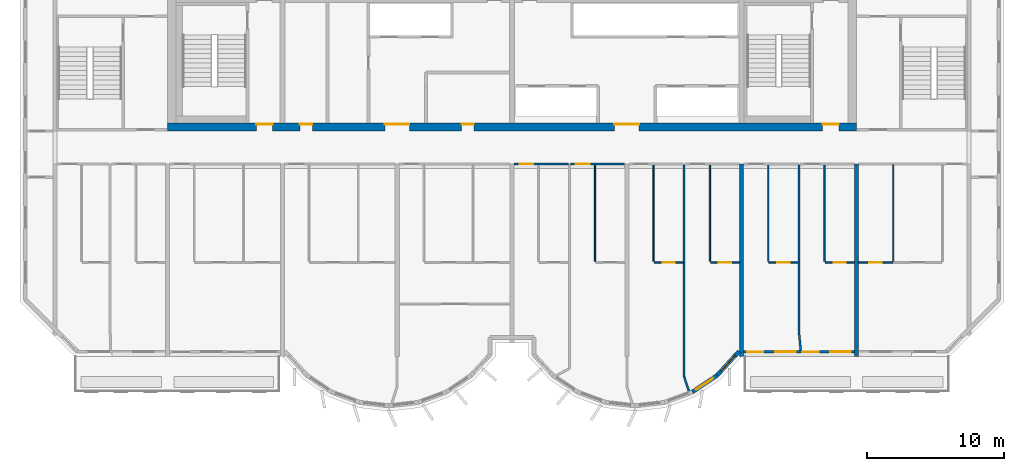
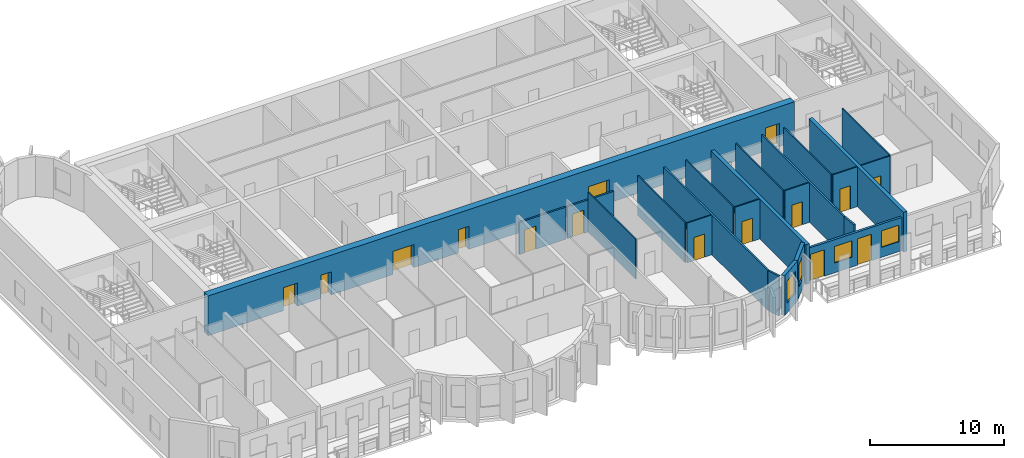
# One storey, part 5 of 11: 23 walls, 15 doors, 4 windows, 19 openings.
"""IFC4 building model written with IfcOpenShell, lengths in metres."""

import ifcopenshell
import ifcopenshell.guid

model = None  # the IFC model being written
_history = None  # IfcOwnerHistory: only IFC2X3 demands one
_inside = {}  # id of a spatial element -> (the spatial element, [elements in it])
_under = {}  # id of a project, library or spatial element -> (it, [spatial elements below it])
_declared = {}  # id of a project -> (the project, [libraries it declares])
_typed = {}  # id of a type object -> (the type object, [elements of that type])
_made_of = {}  # id of a material, layer set ... -> (it, [elements and type objects made of it])


def new_model(schema):
    """Start an empty IFC model of exactly this schema.

    Asked for "IFC4X3", IfcOpenShell would pick the latest addendum, in which some entities
    have other attributes; the version numbers below select the first issue.
    IFC2X3 requires an IfcOwnerHistory on every rooted entity: one is made here for all.
    """
    global model, _history
    if schema == "IFC4X3":
        model = ifcopenshell.file(schema_version=(4, 3, 0, 0))
    else:
        model = ifcopenshell.file(schema=schema)
    _inside.clear()
    _under.clear()
    _declared.clear()
    _typed.clear()
    _made_of.clear()
    _history = None
    if model.schema == "IFC2X3":
        org = make("IfcOrganization", Name="unknown")
        user = make(
            "IfcPersonAndOrganization",
            ThePerson=make("IfcPerson", FamilyName="unknown"),
            TheOrganization=org,
        )
        app = make(
            "IfcApplication",
            ApplicationDeveloper=org,
            Version="unknown",
            ApplicationFullName="unknown",
            ApplicationIdentifier="unknown",
        )
        _history = make(
            "IfcOwnerHistory",
            OwningUser=user,
            OwningApplication=app,
            ChangeAction="ADDED",
            CreationDate=0,
        )
    return model


def make(cls, **values):
    """One entity of the class cls with the attributes given. An attribute that is None is left unset."""
    return model.create_entity(
        cls, **{name: value for name, value in values.items() if value is not None}
    )


def rooted(cls, **values):
    """An entity with a GlobalId (a new one), such as an element, a storey or a relation."""
    return make(cls, GlobalId=ifcopenshell.guid.new(), OwnerHistory=_history, **values)


def si_unit(unit_type, name, prefix=None):
    """IfcSIUnit, for example si_unit("LENGTHUNIT", "METRE", prefix="MILLI")."""
    return make("IfcSIUnit", UnitType=unit_type, Prefix=prefix, Name=name)


def assignment(units):
    """IfcUnitAssignment: the units of a project."""
    return None if units is None else make("IfcUnitAssignment", Units=units)


def point(xyz):
    """IfcCartesianPoint."""
    return None if xyz is None else make("IfcCartesianPoint", Coordinates=xyz)


def direction(xyz):
    """IfcDirection."""
    return None if xyz is None else make("IfcDirection", DirectionRatios=xyz)


def frame(location, z_axis=None, x_axis=None):
    """IfcAxis2Placement3D, a coordinate frame: its origin and axes. An axis left out is left unset."""
    return make(
        "IfcAxis2Placement3D",
        Location=point(location),
        Axis=direction(z_axis),
        RefDirection=direction(x_axis),
    )


def frame_2d(location, x_axis=None):
    """IfcAxis2Placement2D, a coordinate frame in the plane: its origin and x axis."""
    return make(
        "IfcAxis2Placement2D", Location=point(location), RefDirection=direction(x_axis)
    )


def origin():
    """The frame at (0, 0, 0) with its axes left unset."""
    return frame((0.0, 0.0, 0.0))


def place(relative_to, where):
    """IfcLocalPlacement: puts the frame where relative to a parent placement (None: the world)."""
    return make(
        "IfcLocalPlacement", PlacementRelTo=relative_to, RelativePlacement=where
    )


def context(
    kind, dimensions, precision=None, world=None, true_north=None, identifier=None
):
    """IfcGeometricRepresentationContext, for example the 3D "Model" context."""
    return make(
        "IfcGeometricRepresentationContext",
        ContextIdentifier=identifier,
        ContextType=kind,
        CoordinateSpaceDimension=dimensions,
        Precision=precision,
        WorldCoordinateSystem=world,
        TrueNorth=true_north,
    )


def subcontext(parent, identifier, kind, view, scale=None):
    """IfcGeometricRepresentationSubContext, for example "Body" below "Model"."""
    return make(
        "IfcGeometricRepresentationSubContext",
        ContextIdentifier=identifier,
        ContextType=kind,
        ParentContext=parent,
        TargetScale=scale,
        TargetView=view,
    )


def project(units=None, contexts=None):
    """IfcProject with its units and contexts."""
    return rooted(
        "IfcProject",
        Name="project",
        RepresentationContexts=contexts,
        UnitsInContext=assignment(units),
    )


def spatial(cls, under=None, at=None, **own):
    """A site, building, storey or space (cls), placed at a placement, below another one or the project."""
    s = rooted(cls, ObjectPlacement=at, **own)
    if under is not None:
        _under.setdefault(under.id(), (under, []))[1].append(s)
    return s


def profile(cls, at=None, kind="AREA", **sizes):
    """A parametric profile (cls). Its sizes go by their IFC names, for example OverallWidth=200.0."""
    return make(cls, ProfileType=kind, Position=at, **sizes)


def rectangle(**sizes):
    """IfcRectangleProfileDef."""
    return profile("IfcRectangleProfileDef", **sizes)


def extrude(swept, where, along, depth):
    """IfcExtrudedAreaSolid: the profile swept, set in the frame where, extruded along a direction by depth."""
    return make(
        "IfcExtrudedAreaSolid",
        SweptArea=swept,
        Position=where,
        ExtrudedDirection=direction(along),
        Depth=depth,
    )


def shape(context_of_items, identifier, shape_type, items):
    """IfcShapeRepresentation: the items that make up one representation, for example the "Body"."""
    return make(
        "IfcShapeRepresentation",
        ContextOfItems=context_of_items,
        RepresentationIdentifier=identifier,
        RepresentationType=shape_type,
        Items=items,
    )


def source(mapping_origin, context_of_items, identifier, shape_type, items):
    """IfcRepresentationMap: a shape defined once, which mapped items show again and again."""
    return make(
        "IfcRepresentationMap",
        MappingOrigin=mapping_origin,
        MappedRepresentation=shape(context_of_items, identifier, shape_type, items),
    )


def transform(
    local_origin,
    x_axis=None,
    y_axis=None,
    z_axis=None,
    scale=None,
    scale2=None,
    scale3=None,
    uniform=True,
):
    """IfcCartesianTransformationOperator3D, or its non-uniform kind. x_axis, y_axis, z_axis: its Axis1, 2, 3."""
    if uniform:
        return make(
            "IfcCartesianTransformationOperator3D",
            Axis1=direction(x_axis),
            Axis2=direction(y_axis),
            LocalOrigin=point(local_origin),
            Scale=scale,
            Axis3=direction(z_axis),
        )
    return make(
        "IfcCartesianTransformationOperator3DnonUniform",
        Axis1=direction(x_axis),
        Axis2=direction(y_axis),
        LocalOrigin=point(local_origin),
        Scale=scale,
        Axis3=direction(z_axis),
        Scale2=scale2,
        Scale3=scale3,
    )


def mapped(mapping_source, mapping_target):
    """IfcMappedItem: shows the shape of a source again, moved by a transform."""
    return make(
        "IfcMappedItem", MappingSource=mapping_source, MappingTarget=mapping_target
    )


def material(Name=None, Category=None):
    """IfcMaterial."""
    return make("IfcMaterial", Name=Name, Category=Category)


def layer(
    of_material, thickness, ventilated=None, Name=None, Category=None, Priority=None
):
    """IfcMaterialLayer: one layer of a wall or slab, of a material (None: an air gap)."""
    return make(
        "IfcMaterialLayer",
        Material=of_material,
        LayerThickness=thickness,
        IsVentilated=ventilated,
        Name=Name,
        Category=Category,
        Priority=Priority,
    )


def layer_set(layers, Name=None):
    """IfcMaterialLayerSet."""
    return make("IfcMaterialLayerSet", MaterialLayers=layers, LayerSetName=Name)


def made_of(thing, what):
    """Note that an element or type object is made of a material, layer set ...; save() writes the relation."""
    if what is not None:
        _made_of.setdefault(what.id(), (what, []))[1].append(thing)
    return thing


def type_object(cls, material=None, **own):
    """A type object (cls), such as IfcWallType, which elements share."""
    return made_of(rooted(cls, **own), material)


def element(
    cls,
    number,
    at=None,
    inside=None,
    cuts=None,
    type_object=None,
    material=None,
    context=None,
    identifier="Body",
    shape_type=None,
    held_by="IfcProductDefinitionShape",
    body=None,
    shapes=None,
    **own,
):
    """One element of the class cls, such as IfcWall. Its Tag is "e" and its number.

    at: its placement. inside: the storey or other place that contains it. cuts: it is an
    opening in that element (IfcRelVoidsElement). A single representation is given by context,
    identifier, shape_type and body (its items); several are given by shapes. held_by: the class
    of the entity that holds the representations. save() writes the other relations.
    """
    e = rooted(cls, Tag="e%d" % number, ObjectPlacement=at, **own)
    if body is not None:
        shapes = [shape(context, identifier, shape_type, body)]
    if shapes is not None:
        e.Representation = make(held_by, Representations=shapes)
    if inside is not None:
        _inside.setdefault(inside.id(), (inside, []))[1].append(e)
    if cuts is not None:
        rooted(
            "IfcRelVoidsElement", RelatingBuildingElement=cuts, RelatedOpeningElement=e
        )
    if type_object is not None:
        _typed.setdefault(type_object.id(), (type_object, []))[1].append(e)
    return made_of(e, material)


def fill(opening, filler):
    """IfcRelFillsElement: the door or window that sits in an opening."""
    return rooted(
        "IfcRelFillsElement",
        RelatingOpeningElement=opening,
        RelatedBuildingElement=filler,
    )


def aggregate(whole, parts):
    """IfcRelAggregates: a whole, such as a stair, and the parts it consists of."""
    return rooted("IfcRelAggregates", RelatingObject=whole, RelatedObjects=parts)


def save(model, path):
    """Write the relations noted so far, then the file.

    IfcRelAggregates (storeys below a building ...), IfcRelContainedInSpatialStructure (elements
    in a storey), IfcRelDefinesByType, IfcRelAssociatesMaterial and IfcRelDeclares: one each for
    every whole, place, type object, material and project.
    """
    for whole, parts in _under.values():
        aggregate(whole, parts)
    for where, things in _inside.values():
        rooted(
            "IfcRelContainedInSpatialStructure",
            RelatedElements=things,
            RelatingStructure=where,
        )
    for kind, things in _typed.values():
        rooted("IfcRelDefinesByType", RelatedObjects=things, RelatingType=kind)
    for what, things in _made_of.values():
        rooted("IfcRelAssociatesMaterial", RelatedObjects=things, RelatingMaterial=what)
    for by, libraries in _declared.values():
        rooted("IfcRelDeclares", RelatingContext=by, RelatedDefinitions=libraries)
    model.write(path)


model = new_model("IFC4")

# Units and contexts
model_context = context("Model", 3, precision=1e-05, world=origin(), true_north=direction((0.0, 1.0)))
body_context = subcontext(model_context, "Body", "Model", "MODEL_VIEW")
ifc_project = project(units=[si_unit("LENGTHUNIT", "METRE"), si_unit("AREAUNIT", "SQUARE_METRE"), si_unit("VOLUMEUNIT", "CUBIC_METRE"), si_unit("PLANEANGLEUNIT", "RADIAN"), si_unit("MASSUNIT", "GRAM", prefix="KILO")], contexts=[model_context])

# Site, building, storey
site_placement = place(None, origin())
site = spatial("IfcSite", under=ifc_project, at=site_placement, CompositionType="ELEMENT")
building_placement = place(site_placement, origin())
building = spatial("IfcBuilding", under=site, at=building_placement, Name="Vanashikhar Sky Hotel", CompositionType="ELEMENT")
storey_placement = place(building_placement, frame((0.0, 0.0, 217.89990234375)))
storey = spatial("IfcBuildingStorey", under=building, at=storey_placement, Name="L52", CompositionType="ELEMENT", Elevation=217.89990234375)

# Wall, openings, doors
ifc_material_1 = material(Name="Concrete M60", Category="concrete")
ifc_layer_1 = layer(ifc_material_1, 0.60009765625)
ifc_layer_set_1 = layer_set([ifc_layer_1], Name="RC core shell wall 600 Concrete M60")
wall_type_1 = type_object("IfcWallType", Name="RC core shell wall 600 Concrete M60", PredefinedType="SHEAR", material=ifc_layer_set_1)
shared_shape_1 = source(origin(), body_context, "Body", "SweptSolid", [
    extrude(rectangle(XDim=50.400146484375, YDim=0.60009765625, at=frame_2d((25.2001953125, 0.0))), origin(), (0.0, 0.0, 1.0), 3.6201171875),
])
wall_1_placement = place(storey_placement, frame((25.199951171875, 22.300048828125, 0.0), z_axis=(0.0, 0.0, 1.0), x_axis=(1.0, 0.0, 0.0)))
wall_1 = element("IfcWall", 1, at=wall_1_placement, inside=storey, type_object=wall_type_1, Name="KW-L52-KS", PredefinedType="SHEAR", context=body_context, shape_type="MappedRepresentation", body=[
    mapped(shared_shape_1, transform((0.0, 0.0, 0.0), scale=1.0)),
])
shared_shape_2 = source(origin(), body_context, "Body", "SweptSolid", [
    extrude(rectangle(XDim=1.800048828125, YDim=2.10009765625, at=frame_2d((0.89990234375, 1.050048828125))), frame((0.0, 0.31005859375, 0.0), z_axis=(0.0, -1.0, 0.0), x_axis=(1.0, 0.0, 0.0)), (0.0, 0.0, 1.0), 0.6201171875),
])
opening_1_placement = place(wall_1_placement, frame((15.89990234375, 0.0, 0.0)))
opening_1 = element("IfcOpeningElement", 2, at=opening_1_placement, cuts=wall_1, Name="Opening DC-3-A", PredefinedType="OPENING", context=body_context, shape_type="MappedRepresentation", body=[
    mapped(shared_shape_2, transform((0.0, 0.0, 0.0), scale=1.0)),
])
shared_shape_3 = source(origin(), body_context, "Body", "SweptSolid", [
    extrude(rectangle(XDim=0.89990234375, YDim=2.10009765625, at=frame_2d((0.449951171875, 1.050048828125))), frame((0.0, 0.31005859375, 0.0), z_axis=(0.0, -1.0, 0.0), x_axis=(1.0, 0.0, 0.0)), (0.0, 0.0, 1.0), 0.6201171875),
])
opening_2_placement = place(wall_1_placement, frame((9.68701171875, 0.0, 0.0)))
opening_2 = element("IfcOpeningElement", 3, at=opening_2_placement, cuts=wall_1, Name="Opening DC-4-A", PredefinedType="OPENING", context=body_context, shape_type="MappedRepresentation", body=[
    mapped(shared_shape_3, transform((0.0, 0.0, 0.0), scale=1.0)),
])
opening_3_placement = place(wall_1_placement, frame((21.512939453125, 0.0, 0.0)))
opening_3 = element("IfcOpeningElement", 4, at=opening_3_placement, cuts=wall_1, Name="Opening DC-4-A", PredefinedType="OPENING", context=body_context, shape_type="MappedRepresentation", body=[
    mapped(shared_shape_3, transform((0.0, 0.0, 0.0), scale=1.0)),
])
opening_4_placement = place(wall_1_placement, frame((32.699951171875, 0.0, 0.0)))
opening_4 = element("IfcOpeningElement", 5, at=opening_4_placement, cuts=wall_1, Name="Opening DC-3-A", PredefinedType="OPENING", context=body_context, shape_type="MappedRepresentation", body=[
    mapped(shared_shape_2, transform((0.0, 0.0, 0.0), scale=1.0)),
])
shared_shape_4 = source(origin(), body_context, "Body", "SweptSolid", [
    extrude(rectangle(XDim=1.199951171875, YDim=2.10009765625, at=frame_2d((0.60009765625, 1.050048828125))), frame((0.0, 0.31005859375, 0.0), z_axis=(0.0, -1.0, 0.0), x_axis=(1.0, 0.0, 0.0)), (0.0, 0.0, 1.0), 0.6201171875),
])
opening_5_placement = place(wall_1_placement, frame((6.488037109375, 0.0, 0.0)))
opening_5 = element("IfcOpeningElement", 6, at=opening_5_placement, cuts=wall_1, Name="Opening DC-2", PredefinedType="OPENING", context=body_context, shape_type="MappedRepresentation", body=[
    mapped(shared_shape_4, transform((0.0, 0.0, 0.0), scale=1.0)),
])
opening_6_placement = place(wall_1_placement, frame((47.925048828125, 0.0, 0.0)))
opening_6 = element("IfcOpeningElement", 7, at=opening_6_placement, cuts=wall_1, Name="Opening DC-2", PredefinedType="OPENING", context=body_context, shape_type="MappedRepresentation", body=[
    mapped(shared_shape_4, transform((0.0, 0.0, 0.0), scale=1.0)),
])
ifc_material_2 = material(Name="Steel", Category="steel")
door_type_1 = type_object("IfcDoorType", Name="Firefighting lobby door 1200 FD120", OperationType="NOTDEFINED", PredefinedType="DOOR", material=ifc_material_2)
shared_shape_5 = source(origin(), body_context, "Body", "SweptSolid", [
    extrude(rectangle(XDim=1.199951171875, YDim=2.10009765625, at=frame_2d((0.60009765625, 1.050048828125))), frame((0.0, 0.22509765625, 0.0), z_axis=(0.0, -1.0, 0.0), x_axis=(1.0, 0.0, 0.0)), (0.0, 0.0, 1.0), 0.050048828125),
])
door_1_placement = place(opening_5_placement, origin())
door_1 = element("IfcDoor", 8, at=door_1_placement, inside=storey, type_object=door_type_1, Name="Firefighting lobby door 1200 FD120", OperationType="SINGLE_SWING_LEFT", OverallHeight=2.10009765625, OverallWidth=1.199951171875, PredefinedType="DOOR", context=body_context, shape_type="MappedRepresentation", body=[
    mapped(shared_shape_5, transform((0.0, 0.0, 0.0), scale=1.0)),
])
fill(opening_5, door_1)
door_2_placement = place(opening_6_placement, origin())
door_2 = element("IfcDoor", 9, at=door_2_placement, inside=storey, type_object=door_type_1, Name="Firefighting lobby door 1200 FD120", OperationType="SINGLE_SWING_LEFT", OverallHeight=2.10009765625, OverallWidth=1.199951171875, PredefinedType="DOOR", context=body_context, shape_type="MappedRepresentation", body=[
    mapped(shared_shape_5, transform((0.0, 0.0, 0.0), scale=1.0)),
])
fill(opening_6, door_2)
door_type_2 = type_object("IfcDoorType", Name="Service door 900 FD60", OperationType="NOTDEFINED", PredefinedType="DOOR", material=ifc_material_2)
shared_shape_6 = source(origin(), body_context, "Body", "SweptSolid", [
    extrude(rectangle(XDim=0.89990234375, YDim=2.10009765625, at=frame_2d((0.449951171875, 1.050048828125))), frame((0.0, 0.22509765625, 0.0), z_axis=(0.0, -1.0, 0.0), x_axis=(1.0, 0.0, 0.0)), (0.0, 0.0, 1.0), 0.050048828125),
])
door_3_placement = place(opening_2_placement, origin())
door_3 = element("IfcDoor", 10, at=door_3_placement, inside=storey, type_object=door_type_2, Name="Service door 900 FD60", OperationType="SINGLE_SWING_RIGHT", OverallHeight=2.10009765625, OverallWidth=0.89990234375, PredefinedType="DOOR", context=body_context, shape_type="MappedRepresentation", body=[
    mapped(shared_shape_6, transform((0.0, 0.0, 0.0), scale=1.0)),
])
fill(opening_2, door_3)
door_4_placement = place(opening_3_placement, origin())
door_4 = element("IfcDoor", 11, at=door_4_placement, inside=storey, type_object=door_type_2, Name="Service door 900 FD60", OperationType="SINGLE_SWING_LEFT", OverallHeight=2.10009765625, OverallWidth=0.89990234375, PredefinedType="DOOR", context=body_context, shape_type="MappedRepresentation", body=[
    mapped(shared_shape_6, transform((0.0, 0.0, 0.0), scale=1.0)),
])
fill(opening_3, door_4)
ifc_material_3 = material(Name="Glass", Category="glass")
door_type_3 = type_object("IfcDoorType", Name="Lift lobby entrance door 1800 FD30S", OperationType="NOTDEFINED", PredefinedType="DOOR", material=ifc_material_3)
shared_shape_7 = source(origin(), body_context, "Body", "SweptSolid", [
    extrude(rectangle(XDim=1.800048828125, YDim=2.10009765625, at=frame_2d((0.89990234375, 1.050048828125))), frame((0.0, 0.22509765625, 0.0), z_axis=(0.0, -1.0, 0.0), x_axis=(1.0, 0.0, 0.0)), (0.0, 0.0, 1.0), 0.050048828125),
])
door_5_placement = place(opening_1_placement, origin())
door_5 = element("IfcDoor", 12, at=door_5_placement, inside=storey, type_object=door_type_3, Name="Lift lobby entrance door 1800 FD30S", OperationType="DOUBLE_DOOR_SINGLE_SWING", OverallHeight=2.10009765625, OverallWidth=1.800048828125, PredefinedType="DOOR", context=body_context, shape_type="MappedRepresentation", body=[
    mapped(shared_shape_7, transform((0.0, 0.0, 0.0), scale=1.0)),
])
fill(opening_1, door_5)
door_6_placement = place(opening_4_placement, origin())
door_6 = element("IfcDoor", 13, at=door_6_placement, inside=storey, type_object=door_type_3, Name="Lift lobby entrance door 1800 FD30S", OperationType="DOUBLE_DOOR_SINGLE_SWING", OverallHeight=2.10009765625, OverallWidth=1.800048828125, PredefinedType="DOOR", context=body_context, shape_type="MappedRepresentation", body=[
    mapped(shared_shape_7, transform((0.0, 0.0, 0.0), scale=1.0)),
])
fill(opening_4, door_6)

# Walls
ifc_layer_2 = layer(ifc_material_1, 0.300048828125)
ifc_layer_set_2 = layer_set([ifc_layer_2], Name="RC shear wall 300 Concrete M60")
wall_type_2 = type_object("IfcWallType", Name="RC shear wall 300 Concrete M60", PredefinedType="SHEAR", material=ifc_layer_set_2)
shared_shape_8 = source(origin(), body_context, "Body", "SweptSolid", [
    extrude(rectangle(XDim=14.10009765625, YDim=0.300048828125, at=frame_2d((7.050048828125, 0.0))), origin(), (0.0, 0.0, 1.0), 3.6201171875),
])
for number, where, z_axis, x_axis, name in (
    (14, (67.199951171875, 5.5, 0.0), (0.0, 0.0, 1.0), (0.0, 1.0, 0.0), "CW-L52-XW09-1"),
    (15, (75.60009765625, 5.5, 0.0), (0.0, 0.0, 1.0), (0.0, 1.0, 0.0), "CW-L52-XW10-1"),
):
    element("IfcWall", number, at=place(storey_placement, frame(where, z_axis=z_axis, x_axis=x_axis)), inside=storey, type_object=wall_type_2, Name=name, PredefinedType="SHEAR", context=body_context, shape_type="MappedRepresentation", body=[
        mapped(shared_shape_8, transform((0.0, 0.0, 0.0), scale=1.0)),
    ])

# Wall, openings, windows, doors
ifc_material_4 = material(Name="Concrete M50", Category="concrete")
ifc_layer_3 = layer(ifc_material_4, 0.199951171875)
ifc_layer_set_3 = layer_set([ifc_layer_3], Name="Front window wall 200")
wall_type_3 = type_object("IfcWallType", Name="Front window wall 200", PredefinedType="SOLIDWALL", material=ifc_layer_set_3)
shared_shape_9 = source(origin(), body_context, "Body", "SweptSolid", [
    extrude(rectangle(XDim=8.099853515625, YDim=0.199951171875, at=frame_2d((4.0498046875, 0.0))), origin(), (0.0, 0.0, 1.0), 3.02001953125),
])
wall_2_placement = place(storey_placement, frame((67.35009765625, 5.85009765625, 0.0), z_axis=(0.0, 0.0, 1.0), x_axis=(1.0, 0.0, 0.0)))
wall_2 = element("IfcWall", 16, at=wall_2_placement, inside=storey, type_object=wall_type_3, Name="Front window wall", PredefinedType="SOLIDWALL", context=body_context, shape_type="MappedRepresentation", body=[
    mapped(shared_shape_9, transform((0.0, 0.0, 0.0), scale=1.0)),
])
shared_shape_10 = source(origin(), body_context, "Body", "SweptSolid", [
    extrude(rectangle(XDim=1.199951171875, YDim=2.39990234375, at=frame_2d((0.60009765625, 1.199951171875))), frame((0.0, 0.10986328125, 0.0), z_axis=(0.0, -1.0, 0.0), x_axis=(1.0, 0.0, 0.0)), (0.0, 0.0, 1.0), 0.219970703125),
])
opening_7_placement = place(wall_2_placement, frame((0.25, 0.0, 0.0)))
opening_7 = element("IfcOpeningElement", 17, at=opening_7_placement, cuts=wall_2, Name="Opening BD-03", PredefinedType="OPENING", context=body_context, shape_type="MappedRepresentation", body=[
    mapped(shared_shape_10, transform((0.0, 0.0, 0.0), scale=1.0)),
])
shared_shape_11 = source(origin(), body_context, "Body", "SweptSolid", [
    extrude(rectangle(XDim=1.5, YDim=1.5, at=frame_2d((0.75, 0.75))), frame((0.0, 0.10986328125, 0.0), z_axis=(0.0, -1.0, 0.0), x_axis=(1.0, 0.0, 0.0)), (0.0, 0.0, 1.0), 0.219970703125),
])
opening_8_placement = place(wall_2_placement, frame((2.300048828125, 0.0, 0.89990234375)))
opening_8 = element("IfcOpeningElement", 18, at=opening_8_placement, cuts=wall_2, Name="Opening WN-1", PredefinedType="OPENING", context=body_context, shape_type="MappedRepresentation", body=[
    mapped(shared_shape_11, transform((0.0, 0.0, 0.0), scale=1.0)),
])
opening_9_placement = place(wall_2_placement, frame((4.300048828125, 0.0, 0.0)))
opening_9 = element("IfcOpeningElement", 19, at=opening_9_placement, cuts=wall_2, Name="Opening BD-04", PredefinedType="OPENING", context=body_context, shape_type="MappedRepresentation", body=[
    mapped(shared_shape_10, transform((0.0, 0.0, 0.0), scale=1.0)),
])
opening_10_placement = place(wall_2_placement, frame((6.35009765625, 0.0, 0.89990234375)))
opening_10 = element("IfcOpeningElement", 20, at=opening_10_placement, cuts=wall_2, Name="Opening WN-1", PredefinedType="OPENING", context=body_context, shape_type="MappedRepresentation", body=[
    mapped(shared_shape_11, transform((0.0, 0.0, 0.0), scale=1.0)),
])
window_type_1 = type_object("IfcWindowType", Name="Window 1500 x 1500", PartitioningType="SINGLE_PANEL", PredefinedType="WINDOW", material=ifc_material_3)
shared_shape_12 = source(origin(), body_context, "Body", "SweptSolid", [
    extrude(rectangle(XDim=1.5, YDim=1.5, at=frame_2d((0.75, 0.75))), frame((0.0, 0.030029296875, 0.0), z_axis=(0.0, -1.0, 0.0), x_axis=(1.0, 0.0, 0.0)), (0.0, 0.0, 1.0), 0.06005859375),
])
window_1_placement = place(opening_8_placement, origin())
window_1 = element("IfcWindow", 21, at=window_1_placement, inside=storey, type_object=window_type_1, Name="Window WN-1", OverallHeight=1.5, OverallWidth=1.5, PartitioningType="SINGLE_PANEL", PredefinedType="WINDOW", context=body_context, shape_type="MappedRepresentation", body=[
    mapped(shared_shape_12, transform((0.0, 0.0, 0.0), scale=1.0)),
])
fill(opening_8, window_1)
window_2_placement = place(opening_10_placement, origin())
window_2 = element("IfcWindow", 22, at=window_2_placement, inside=storey, type_object=window_type_1, Name="Window WN-1", OverallHeight=1.5, OverallWidth=1.5, PartitioningType="SINGLE_PANEL", PredefinedType="WINDOW", context=body_context, shape_type="MappedRepresentation", body=[
    mapped(shared_shape_12, transform((0.0, 0.0, 0.0), scale=1.0)),
])
fill(opening_10, window_2)
ifc_material_5 = material(Name="Aluminium", Category="aluminium")
door_type_4 = type_object("IfcDoorType", Name="Balcony sliding door 1200 x 2400", OperationType="NOTDEFINED", PredefinedType="DOOR", material=ifc_material_5)
shared_shape_13 = source(origin(), body_context, "Body", "SweptSolid", [
    extrude(rectangle(XDim=1.199951171875, YDim=2.39990234375, at=frame_2d((0.60009765625, 1.199951171875))), frame((0.0, 0.02490234375, 0.0), z_axis=(0.0, -1.0, 0.0), x_axis=(1.0, 0.0, 0.0)), (0.0, 0.0, 1.0), 0.050048828125),
])
door_7_placement = place(opening_7_placement, origin())
door_7 = element("IfcDoor", 23, at=door_7_placement, inside=storey, type_object=door_type_4, Name="Balcony sliding door", OperationType="SLIDING_TO_LEFT", OverallHeight=2.39990234375, OverallWidth=1.199951171875, PredefinedType="DOOR", context=body_context, shape_type="MappedRepresentation", body=[
    mapped(shared_shape_13, transform((0.0, 0.0, 0.0), scale=1.0)),
])
fill(opening_7, door_7)
door_8_placement = place(opening_9_placement, origin())
door_8 = element("IfcDoor", 24, at=door_8_placement, inside=storey, type_object=door_type_4, Name="Balcony sliding door", OperationType="SLIDING_TO_RIGHT", OverallHeight=2.39990234375, OverallWidth=1.199951171875, PredefinedType="DOOR", context=body_context, shape_type="MappedRepresentation", body=[
    mapped(shared_shape_13, transform((0.0, 0.0, 0.0), scale=1.0)),
])
fill(opening_9, door_8)

# Wall, opening, window
ifc_layer_4 = layer(ifc_material_4, 0.300048828125)
ifc_layer_set_4 = layer_set([ifc_layer_4], Name="Lobe wall 300")
wall_type_4 = type_object("IfcWallType", Name="Lobe wall 300", PredefinedType="SOLIDWALL", material=ifc_layer_set_4)
shared_shape_14 = source(origin(), body_context, "Body", "SweptSolid", [
    extrude(rectangle(XDim=2.398193359375, YDim=0.300048828125, at=frame_2d((1.19921875, 0.0))), origin(), (0.0, 0.0, 1.0), 3.6201171875),
])
wall_3_placement = place(storey_placement, frame((65.404296875, 4.13134765625, 0.0), z_axis=(0.0, 0.0, 1.0), x_axis=(0.675374189419, 0.737475222815, 0.0)))
wall_3 = element("IfcWall", 25, at=wall_3_placement, inside=storey, type_object=wall_type_4, Name="Lobe wall", PredefinedType="SOLIDWALL", context=body_context, shape_type="MappedRepresentation", body=[
    mapped(shared_shape_14, transform((0.0, 0.0, 0.0), scale=1.0)),
])
shared_shape_15 = source(origin(), body_context, "Body", "SweptSolid", [
    extrude(rectangle(XDim=1.5, YDim=2.0, at=frame_2d((0.75, 1.0))), frame((0.0, 0.16015625, 0.0), z_axis=(0.0, -1.0, 0.0), x_axis=(1.0, 0.0, 0.0)), (0.0, 0.0, 1.0), 0.320068359375),
])
opening_11_placement = place(wall_3_placement, frame((0.44921875, 0.0, 0.89990234375)))
opening_11 = element("IfcOpeningElement", 26, at=opening_11_placement, cuts=wall_3, Name="Opening WN-2", PredefinedType="OPENING", context=body_context, shape_type="MappedRepresentation", body=[
    mapped(shared_shape_15, transform((0.0, 0.0, 0.0), scale=1.0)),
])
window_type_2 = type_object("IfcWindowType", Name="Lobe window 1500 x 2000", PartitioningType="SINGLE_PANEL", PredefinedType="WINDOW", material=ifc_material_3)
shared_shape_16 = source(origin(), body_context, "Body", "SweptSolid", [
    extrude(rectangle(XDim=1.5, YDim=2.0, at=frame_2d((0.75, 1.0))), frame((0.0, 0.030029296875, 0.0), z_axis=(0.0, -1.0, 0.0), x_axis=(1.0, 0.0, 0.0)), (0.0, 0.0, 1.0), 0.06005859375),
])
window_3_placement = place(opening_11_placement, origin())
window_3 = element("IfcWindow", 27, at=window_3_placement, inside=storey, type_object=window_type_2, Name="Window WN-2", OverallHeight=2.0, OverallWidth=1.5, PartitioningType="SINGLE_PANEL", PredefinedType="WINDOW", context=body_context, shape_type="MappedRepresentation", body=[
    mapped(shared_shape_16, transform((0.0, 0.0, 0.0), scale=1.0)),
])
fill(opening_11, window_3)

shared_shape_17 = source(origin(), body_context, "Body", "SweptSolid", [
    extrude(rectangle(XDim=2.17578125, YDim=0.300048828125, at=frame_2d((1.087890625, 0.0))), origin(), (0.0, 0.0, 1.0), 3.6201171875),
])
wall_4_placement = place(storey_placement, frame((63.59912109375, 2.91650390625, 0.0), z_axis=(0.0, 0.0, 1.0), x_axis=(0.829625727223, 0.558319937607, 0.0)))
wall_4 = element("IfcWall", 28, at=wall_4_placement, inside=storey, type_object=wall_type_4, Name="Lobe wall", PredefinedType="SOLIDWALL", context=body_context, shape_type="MappedRepresentation", body=[
    mapped(shared_shape_17, transform((0.0, 0.0, 0.0), scale=1.0)),
])
opening_12_placement = place(wall_4_placement, frame((0.337890625, 0.0, 0.89990234375)))
opening_12 = element("IfcOpeningElement", 29, at=opening_12_placement, cuts=wall_4, Name="Opening WN-2", PredefinedType="OPENING", context=body_context, shape_type="MappedRepresentation", body=[
    mapped(shared_shape_15, transform((0.0, 0.0, 0.0), scale=1.0)),
])
window_4_placement = place(opening_12_placement, origin())
window_4 = element("IfcWindow", 30, at=window_4_placement, inside=storey, type_object=window_type_2, Name="Window WN-2", OverallHeight=2.0, OverallWidth=1.5, PartitioningType="SINGLE_PANEL", PredefinedType="WINDOW", context=body_context, shape_type="MappedRepresentation", body=[
    mapped(shared_shape_16, transform((0.0, 0.0, 0.0), scale=1.0)),
])
fill(opening_12, window_4)

# Walls
ifc_material_6 = material(Name="Gypsum plasterboard partition")
ifc_layer_5 = layer(ifc_material_6, 0.10009765625)
ifc_layer_set_5 = layer_set([ifc_layer_5], Name="Wet room partition 100")
wall_type_5 = type_object("IfcWallType", Name="Wet room partition 100", PredefinedType="PARTITIONING", material=ifc_layer_set_5)
shared_shape_18 = source(origin(), body_context, "Body", "SweptSolid", [
    extrude(rectangle(XDim=7.0498046875, YDim=0.10009765625, at=frame_2d((3.52490234375, 0.0))), origin(), (0.0, 0.0, 1.0), 3.6201171875),
])
for number, where, z_axis, x_axis, name in (
    (31, (56.47509765625, 12.47509765625, 0.0), (0.0, 0.0, 1.0), (0.0, 1.0, 0.0), "W-L52-PW027"),
    (32, (60.75, 12.47509765625, 0.0), (0.0, 0.0, 1.0), (0.0, 1.0, 0.0), "W-L52-PW031"),
    (33, (64.875, 12.47509765625, 0.0), (0.0, 0.0, 1.0), (0.0, 1.0, 0.0), "W-L52-PW034"),
    (34, (69.14990234375, 12.47509765625, 0.0), (0.0, 0.0, 1.0), (0.0, 1.0, 0.0), "W-L52-PW038"),
    (35, (73.27490234375, 12.47509765625, 0.0), (0.0, 0.0, 1.0), (0.0, 1.0, 0.0), "W-L52-PW041"),
    (36, (78.300048828125, 12.47509765625, 0.0), (0.0, 0.0, 1.0), (0.0, 1.0, 0.0), "W-L52-PW046"),
):
    element("IfcWall", number, at=place(storey_placement, frame(where, z_axis=z_axis, x_axis=x_axis)), inside=storey, type_object=wall_type_5, Name=name, PredefinedType="PARTITIONING", context=body_context, shape_type="MappedRepresentation", body=[
        mapped(shared_shape_18, transform((0.0, 0.0, 0.0), scale=1.0)),
    ])

# Wall, opening, door
shared_shape_19 = source(origin(), body_context, "Body", "SweptSolid", [
    extrude(rectangle(XDim=2.125, YDim=0.10009765625, at=frame_2d((1.0625, 0.0))), origin(), (0.0, 0.0, 1.0), 3.6201171875),
])
wall_5_placement = place(storey_placement, frame((60.800048828125, 12.39990234375, 0.0), z_axis=(0.0, 0.0, 1.0), x_axis=(1.0, 0.0, 0.0)))
wall_5 = element("IfcWall", 37, at=wall_5_placement, inside=storey, type_object=wall_type_5, Name="W-L52-PW032", PredefinedType="PARTITIONING", context=body_context, shape_type="MappedRepresentation", body=[
    mapped(shared_shape_19, transform((0.0, 0.0, 0.0), scale=1.0)),
])
shared_shape_20 = source(origin(), body_context, "Body", "SweptSolid", [
    extrude(rectangle(XDim=0.89990234375, YDim=2.10009765625, at=frame_2d((0.449951171875, 1.050048828125))), frame((0.0, 0.06005859375, 0.0), z_axis=(0.0, -1.0, 0.0), x_axis=(1.0, 0.0, 0.0)), (0.0, 0.0, 1.0), 0.1201171875),
])
opening_13_placement = place(wall_5_placement, frame((0.612060546875, 0.0, 0.0)))
opening_13 = element("IfcOpeningElement", 38, at=opening_13_placement, cuts=wall_5, Name="Opening D-02", PredefinedType="OPENING", context=body_context, shape_type="MappedRepresentation", body=[
    mapped(shared_shape_20, transform((0.0, 0.0, 0.0), scale=1.0)),
])
ifc_material_7 = material(Name="Timber door", Category="wood")
door_type_5 = type_object("IfcDoorType", Name="Internal door 900", OperationType="NOTDEFINED", PredefinedType="DOOR", material=ifc_material_7)
shared_shape_21 = source(origin(), body_context, "Body", "SweptSolid", [
    extrude(rectangle(XDim=0.89990234375, YDim=2.10009765625, at=frame_2d((0.449951171875, 1.050048828125))), frame((0.0, 0.02490234375, 0.0), z_axis=(0.0, -1.0, 0.0), x_axis=(1.0, 0.0, 0.0)), (0.0, 0.0, 1.0), 0.050048828125),
])
door_9_placement = place(opening_13_placement, origin())
door_9 = element("IfcDoor", 39, at=door_9_placement, inside=storey, type_object=door_type_5, Name="D-L52-019", OperationType="SINGLE_SWING_LEFT", OverallHeight=2.10009765625, OverallWidth=0.89990234375, PredefinedType="DOOR", context=body_context, shape_type="MappedRepresentation", body=[
    mapped(shared_shape_21, transform((0.0, 0.0, 0.0), scale=1.0)),
])
fill(opening_13, door_9)

wall_6_placement = place(storey_placement, frame((64.925048828125, 12.39990234375, 0.0), z_axis=(0.0, 0.0, 1.0), x_axis=(1.0, 0.0, 0.0)))
wall_6 = element("IfcWall", 40, at=wall_6_placement, inside=storey, type_object=wall_type_5, Name="W-L52-PW035", PredefinedType="PARTITIONING", context=body_context, shape_type="MappedRepresentation", body=[
    mapped(shared_shape_19, transform((0.0, 0.0, 0.0), scale=1.0)),
])
opening_14_placement = place(wall_6_placement, frame((0.612060546875, 0.0, 0.0)))
opening_14 = element("IfcOpeningElement", 41, at=opening_14_placement, cuts=wall_6, Name="Opening D-02", PredefinedType="OPENING", context=body_context, shape_type="MappedRepresentation", body=[
    mapped(shared_shape_20, transform((0.0, 0.0, 0.0), scale=1.0)),
])
door_10_placement = place(opening_14_placement, origin())
door_10 = element("IfcDoor", 42, at=door_10_placement, inside=storey, type_object=door_type_5, Name="D-L52-021", OperationType="SINGLE_SWING_LEFT", OverallHeight=2.10009765625, OverallWidth=0.89990234375, PredefinedType="DOOR", context=body_context, shape_type="MappedRepresentation", body=[
    mapped(shared_shape_21, transform((0.0, 0.0, 0.0), scale=1.0)),
])
fill(opening_14, door_10)

wall_7_placement = place(storey_placement, frame((69.199951171875, 12.39990234375, 0.0), z_axis=(0.0, 0.0, 1.0), x_axis=(1.0, 0.0, 0.0)))
wall_7 = element("IfcWall", 43, at=wall_7_placement, inside=storey, type_object=wall_type_5, Name="W-L52-PW039", PredefinedType="PARTITIONING", context=body_context, shape_type="MappedRepresentation", body=[
    mapped(shared_shape_19, transform((0.0, 0.0, 0.0), scale=1.0)),
])
opening_15_placement = place(wall_7_placement, frame((0.612060546875, 0.0, 0.0)))
opening_15 = element("IfcOpeningElement", 44, at=opening_15_placement, cuts=wall_7, Name="Opening D-02", PredefinedType="OPENING", context=body_context, shape_type="MappedRepresentation", body=[
    mapped(shared_shape_20, transform((0.0, 0.0, 0.0), scale=1.0)),
])
door_11_placement = place(opening_15_placement, origin())
door_11 = element("IfcDoor", 45, at=door_11_placement, inside=storey, type_object=door_type_5, Name="D-L52-023", OperationType="SINGLE_SWING_LEFT", OverallHeight=2.10009765625, OverallWidth=0.89990234375, PredefinedType="DOOR", context=body_context, shape_type="MappedRepresentation", body=[
    mapped(shared_shape_21, transform((0.0, 0.0, 0.0), scale=1.0)),
])
fill(opening_15, door_11)

wall_8_placement = place(storey_placement, frame((73.324951171875, 12.39990234375, 0.0), z_axis=(0.0, 0.0, 1.0), x_axis=(1.0, 0.0, 0.0)))
wall_8 = element("IfcWall", 46, at=wall_8_placement, inside=storey, type_object=wall_type_5, Name="W-L52-PW042", PredefinedType="PARTITIONING", context=body_context, shape_type="MappedRepresentation", body=[
    mapped(shared_shape_19, transform((0.0, 0.0, 0.0), scale=1.0)),
])
opening_16_placement = place(wall_8_placement, frame((0.612060546875, 0.0, 0.0)))
opening_16 = element("IfcOpeningElement", 47, at=opening_16_placement, cuts=wall_8, Name="Opening D-02", PredefinedType="OPENING", context=body_context, shape_type="MappedRepresentation", body=[
    mapped(shared_shape_20, transform((0.0, 0.0, 0.0), scale=1.0)),
])
door_12_placement = place(opening_16_placement, origin())
door_12 = element("IfcDoor", 48, at=door_12_placement, inside=storey, type_object=door_type_5, Name="D-L52-025", OperationType="SINGLE_SWING_LEFT", OverallHeight=2.10009765625, OverallWidth=0.89990234375, PredefinedType="DOOR", context=body_context, shape_type="MappedRepresentation", body=[
    mapped(shared_shape_21, transform((0.0, 0.0, 0.0), scale=1.0)),
])
fill(opening_16, door_12)

# Walls
ifc_layer_6 = layer(ifc_material_6, 0.14990234375)
ifc_layer_set_6 = layer_set([ifc_layer_6], Name="Corridor and demising partition 150")
wall_type_6 = type_object("IfcWallType", Name="Corridor and demising partition 150", PredefinedType="PARTITIONING", material=ifc_layer_set_6)
shared_shape_22 = source(origin(), body_context, "Body", "SweptSolid", [
    extrude(rectangle(XDim=12.27490234375, YDim=0.14990234375, at=frame_2d((6.137451171875, 0.0))), origin(), (0.0, 0.0, 1.0), 3.6201171875),
])
wall_9_placement = place(storey_placement, frame((71.39990234375, 7.25, 0.0), z_axis=(0.0, 0.0, 1.0), x_axis=(0.0, 1.0, 0.0)))
element("IfcWall", 49, at=wall_9_placement, inside=storey, type_object=wall_type_6, Name="W-L52-PW044", PredefinedType="PARTITIONING", context=body_context, shape_type="MappedRepresentation", body=[
    mapped(shared_shape_22, transform((0.0, 0.0, 0.0), scale=1.0)),
])
shared_shape_23 = source(origin(), body_context, "Body", "SweptSolid", [
    extrude(rectangle(XDim=15.497802734375, YDim=0.14990234375, at=frame_2d((7.7490234375, 0.0))), origin(), (0.0, 0.0, 1.0), 3.6201171875),
])
wall_10_placement = place(storey_placement, frame((63.0, 4.027099609375, 0.0), z_axis=(0.0, 0.0, 1.0), x_axis=(0.0, 1.0, 0.0)))
element("IfcWall", 50, at=wall_10_placement, inside=storey, type_object=wall_type_6, Name="W-L52-PW037", PredefinedType="PARTITIONING", context=body_context, shape_type="MappedRepresentation", body=[
    mapped(shared_shape_23, transform((0.0, 0.0, 0.0), scale=1.0)),
])

# Wall, opening, door
shared_shape_24 = source(origin(), body_context, "Body", "SweptSolid", [
    extrude(rectangle(XDim=2.5, YDim=0.10009765625, at=frame_2d((1.25, 0.0))), origin(), (0.0, 0.0, 1.0), 3.6201171875),
])
wall_11_placement = place(storey_placement, frame((75.75, 12.39990234375, 0.0), z_axis=(0.0, 0.0, 1.0), x_axis=(1.0, 0.0, 0.0)))
wall_11 = element("IfcWall", 51, at=wall_11_placement, inside=storey, type_object=wall_type_5, Name="W-L52-PW048", PredefinedType="PARTITIONING", context=body_context, shape_type="MappedRepresentation", body=[
    mapped(shared_shape_24, transform((0.0, 0.0, 0.0), scale=1.0)),
])
opening_17_placement = place(wall_11_placement, frame((0.800048828125, 0.0, 0.0)))
opening_17 = element("IfcOpeningElement", 52, at=opening_17_placement, cuts=wall_11, Name="Opening D-02", PredefinedType="OPENING", context=body_context, shape_type="MappedRepresentation", body=[
    mapped(shared_shape_20, transform((0.0, 0.0, 0.0), scale=1.0)),
])
door_13_placement = place(opening_17_placement, origin())
door_13 = element("IfcDoor", 53, at=door_13_placement, inside=storey, type_object=door_type_5, Name="D-L52-028", OperationType="SINGLE_SWING_RIGHT", OverallHeight=2.10009765625, OverallWidth=0.89990234375, PredefinedType="DOOR", context=body_context, shape_type="MappedRepresentation", body=[
    mapped(shared_shape_21, transform((0.0, 0.0, 0.0), scale=1.0)),
])
fill(opening_17, door_13)

# Walls
shared_shape_25 = source(origin(), body_context, "Body", "SweptSolid", [
    extrude(rectangle(XDim=1.100830078125, YDim=0.14990234375, at=frame_2d((0.55029296875, 0.0))), origin(), (0.0, 0.0, 1.0), 3.6201171875),
])
wall_12_placement = place(storey_placement, frame((63.343017578125, 2.98095703125, 0.0), z_axis=(0.0, 0.0, 1.0), x_axis=(-0.311567081539, 0.950224159712, 0.0)))
element("IfcWall", 54, at=wall_12_placement, inside=storey, type_object=wall_type_6, Name="W-L52-PW037B0", PredefinedType="PARTITIONING", context=body_context, shape_type="MappedRepresentation", body=[
    mapped(shared_shape_25, transform((0.0, 0.0, 0.0), scale=1.0)),
])
shared_shape_26 = source(origin(), body_context, "Body", "SweptSolid", [
    extrude(rectangle(XDim=1.306640625, YDim=0.14990234375, at=frame_2d((0.6533203125, 0.0))), origin(), (0.0, 0.0, 1.0), 3.6201171875),
])
wall_13_placement = place(storey_placement, frame((71.530029296875, 5.949951171875, 0.0), z_axis=(0.0, 0.0, 1.0), x_axis=(-0.099596223396, 0.99502793543, 0.0)))
element("IfcWall", 55, at=wall_13_placement, inside=storey, type_object=wall_type_6, Name="W-L52-PW044B0", PredefinedType="PARTITIONING", context=body_context, shape_type="MappedRepresentation", body=[
    mapped(shared_shape_26, transform((0.0, 0.0, 0.0), scale=1.0)),
])

# Wall, opening, door
shared_shape_27 = source(origin(), body_context, "Body", "SweptSolid", [
    extrude(rectangle(XDim=3.974853515625, YDim=0.14990234375, at=frame_2d((1.9873046875, 0.0))), origin(), (0.0, 0.0, 1.0), 2.920166015625),
])
wall_14_placement = place(storey_placement, frame((50.550048828125, 19.60009765625, 0.0), z_axis=(0.0, 0.0, 1.0), x_axis=(1.0, 0.0, 0.0)))
wall_14 = element("IfcWall", 56, at=wall_14_placement, inside=storey, type_object=wall_type_6, Name="W-L52-PW026", PredefinedType="PARTITIONING", context=body_context, shape_type="MappedRepresentation", body=[
    mapped(shared_shape_27, transform((0.0, 0.0, 0.0), scale=1.0)),
])
shared_shape_28 = source(origin(), body_context, "Body", "SweptSolid", [
    extrude(rectangle(XDim=1.0, YDim=2.10009765625, at=frame_2d((0.5, 1.050048828125))), frame((0.0, 0.0849609375, 0.0), z_axis=(0.0, -1.0, 0.0), x_axis=(1.0, 0.0, 0.0)), (0.0, 0.0, 1.0), 0.169921875),
])
opening_18_placement = place(wall_14_placement, frame((0.39990234375, 0.0, 0.0)))
opening_18 = element("IfcOpeningElement", 57, at=opening_18_placement, cuts=wall_14, Name="Opening D-01", PredefinedType="OPENING", context=body_context, shape_type="MappedRepresentation", body=[
    mapped(shared_shape_28, transform((0.0, 0.0, 0.0), scale=1.0)),
])
ifc_material_8 = material(Name="Timber fire door", Category="wood")
door_type_6 = type_object("IfcDoorType", Name="Guest entry door 1000 FD30S", OperationType="NOTDEFINED", PredefinedType="DOOR", material=ifc_material_8)
shared_shape_29 = source(origin(), body_context, "Body", "SweptSolid", [
    extrude(rectangle(XDim=1.0, YDim=2.10009765625, at=frame_2d((0.5, 1.050048828125))), frame((0.0, 0.02490234375, 0.0), z_axis=(0.0, -1.0, 0.0), x_axis=(1.0, 0.0, 0.0)), (0.0, 0.0, 1.0), 0.050048828125),
])
door_14_placement = place(opening_18_placement, origin())
door_14 = element("IfcDoor", 58, at=door_14_placement, inside=storey, type_object=door_type_6, Name="D-L52-016", OperationType="SINGLE_SWING_LEFT", OverallHeight=2.10009765625, OverallWidth=1.0, PredefinedType="DOOR", context=body_context, shape_type="MappedRepresentation", body=[
    mapped(shared_shape_29, transform((0.0, 0.0, 0.0), scale=1.0)),
])
fill(opening_18, door_14)

wall_15_placement = place(storey_placement, frame((54.675048828125, 19.60009765625, 0.0), z_axis=(0.0, 0.0, 1.0), x_axis=(1.0, 0.0, 0.0)))
wall_15 = element("IfcWall", 59, at=wall_15_placement, inside=storey, type_object=wall_type_6, Name="W-L52-PW029", PredefinedType="PARTITIONING", context=body_context, shape_type="MappedRepresentation", body=[
    mapped(shared_shape_27, transform((0.0, 0.0, 0.0), scale=1.0)),
])
opening_19_placement = place(wall_15_placement, frame((0.39990234375, 0.0, 0.0)))
opening_19 = element("IfcOpeningElement", 60, at=opening_19_placement, cuts=wall_15, Name="Opening D-01", PredefinedType="OPENING", context=body_context, shape_type="MappedRepresentation", body=[
    mapped(shared_shape_28, transform((0.0, 0.0, 0.0), scale=1.0)),
])
door_15_placement = place(opening_19_placement, origin())
door_15 = element("IfcDoor", 61, at=door_15_placement, inside=storey, type_object=door_type_6, Name="D-L52-018", OperationType="SINGLE_SWING_LEFT", OverallHeight=2.10009765625, OverallWidth=1.0, PredefinedType="DOOR", context=body_context, shape_type="MappedRepresentation", body=[
    mapped(shared_shape_29, transform((0.0, 0.0, 0.0), scale=1.0)),
])
fill(opening_19, door_15)

save(model, "model.ifc")
